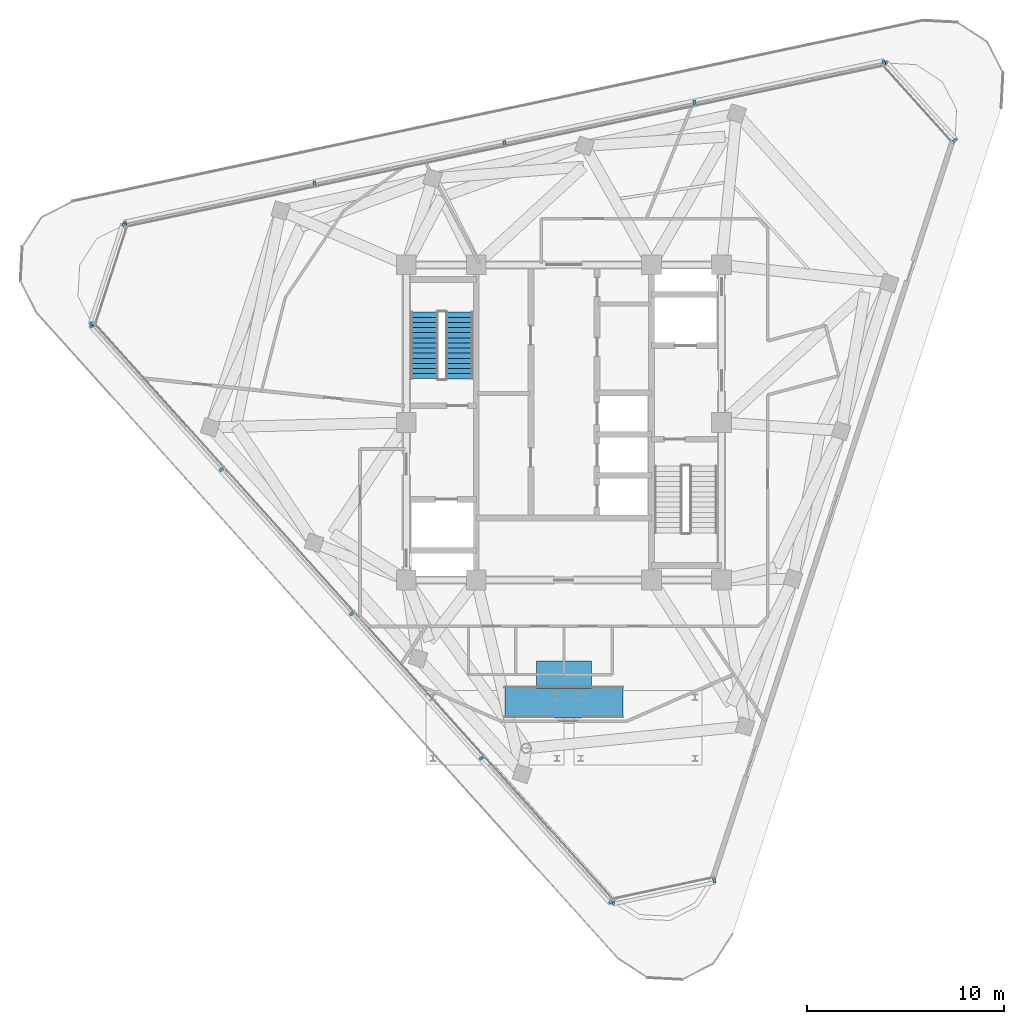
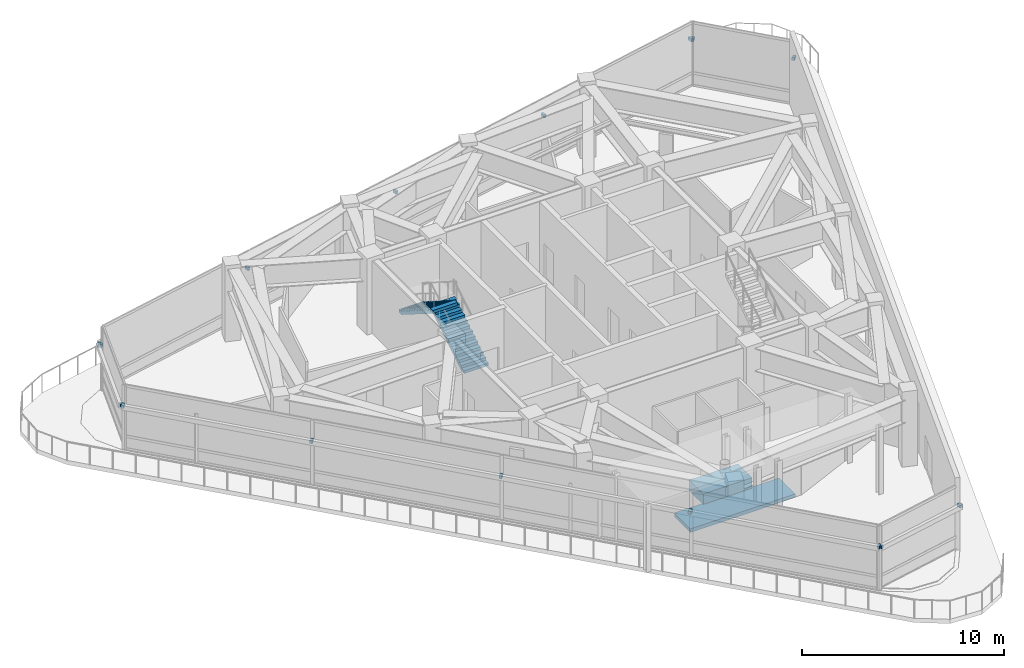
# One storey, part 11 of 15: 17 discrete accessories, 2 stair flights, 1 ramp flight, 2 elements without a shape of their own.
"""IFC4 building model written with IfcOpenShell, lengths in metres."""

from ifc_helpers import new_model, si_unit, direction, frame, origin, origin_2d, place, context, subcontext, project, spatial, polyline, rectangle, outline, extrude, material, type_object, element, aggregate, save


model = new_model("IFC4")

# Units and contexts
model_context = context("Model", 3, precision=1e-05, world=origin(), true_north=direction((0.0, 1.0)))
body_context = subcontext(model_context, "Body", "Model", "MODEL_VIEW")
ifc_project = project(units=[si_unit("LENGTHUNIT", "METRE"), si_unit("AREAUNIT", "SQUARE_METRE"), si_unit("VOLUMEUNIT", "CUBIC_METRE"), si_unit("PLANEANGLEUNIT", "RADIAN"), si_unit("MASSUNIT", "GRAM", prefix="KILO")], contexts=[model_context])

# Site, building, storey
site_placement = place(None, origin())
site = spatial("IfcSite", under=ifc_project, at=site_placement, CompositionType="ELEMENT")
building_placement = place(site_placement, origin())
building = spatial("IfcBuilding", under=site, at=building_placement, Name="Terralouvre Media Tower", CompositionType="ELEMENT")
storey_placement = place(building_placement, frame((0.0, 0.0, 312.800048828125)))
storey = spatial("IfcBuildingStorey", under=building, at=storey_placement, Name="L81", CompositionType="ELEMENT", Elevation=312.800048828125)

# Stair, stair flights
ifc_material_1 = material(Name="Concrete C45/55", Category="concrete")
stair_type = type_object("IfcStairType", Name="Dogleg Stair Assembly ST-01", PredefinedType="HALF_TURN_STAIR", material=ifc_material_1)
stair_placement = place(storey_placement, origin())
stair = element("IfcStair", 1, at=stair_placement, inside=storey, type_object=stair_type, Name="L81 Core Pressurised Exit Stair ST-01", PredefinedType="HALF_TURN_STAIR")
ifc_material_2 = material(Name="Concrete C45/55", Category="concrete")
stair_flight_type = type_object("IfcStairFlightType", Name="Reinforced Concrete Stair Flight SF-RC1", PredefinedType="STRAIGHT", material=ifc_material_2)
stair_flight_1_placement = place(storey_placement, frame((-5.300048828125, 2.219970703125, 0.0), z_axis=(0.0, 0.0, 1.0), x_axis=(0.0, 1.0, 0.0)))
stair_flight_1 = element("IfcStairFlight", 2, at=stair_flight_1_placement, type_object=stair_flight_type, Name="ST-01 flight 1", NumberOfRisers=14, NumberOfTreads=13, PredefinedType="STRAIGHT", RiserHeight=0.164285714, TreadLength=0.26, context=body_context, shape_type="SweptSolid", body=[
    extrude(outline(polyline([(0.0, 0.0), (0.0, 0.164306640625), (0.260009765625, 0.164306640625), (0.260009765625, 0.32861328125), (0.52001953125, 0.32861328125), (0.52001953125, 0.492919921875), (0.780029296875, 0.492919921875), (0.780029296875, 0.6572265625), (1.0400390625, 0.6572265625), (1.0400390625, 0.821533203125), (1.300048828125, 0.821533203125), (1.300048828125, 0.985595703125), (1.56005859375, 0.985595703125), (1.56005859375, 1.14990234375), (1.820068359375, 1.14990234375), (1.820068359375, 1.314208984375), (2.080078125, 1.314208984375), (2.080078125, 1.478515625), (2.340087890625, 1.478515625), (2.340087890625, 1.642822265625), (2.60009765625, 1.642822265625), (2.60009765625, 1.80712890625), (2.860107421875, 1.80712890625), (2.860107421875, 1.971435546875), (3.1201171875, 1.971435546875), (3.1201171875, 2.1357421875), (3.3798828125, 2.1357421875), (3.3798828125, 2.300048828125), (3.3798828125, 1.95849609375), (0.280517578125, 0.0), (0.0, 0.0)])), frame((0.0, 0.699951171875, 0.0), z_axis=(0.0, -1.0, 0.0), x_axis=(1.0, 0.0, 0.0)), (0.0, 0.0, 1.0), 1.39990234375),
])
stair_flight_2_placement = place(storey_placement, frame((-7.080078125, 5.60009765625, 2.300048828125), z_axis=(0.0, 0.0, 1.0), x_axis=(0.0, -1.0, 0.0)))
stair_flight_2 = element("IfcStairFlight", 3, at=stair_flight_2_placement, type_object=stair_flight_type, Name="ST-01 flight 2", NumberOfRisers=14, NumberOfTreads=13, PredefinedType="STRAIGHT", RiserHeight=0.164285714, TreadLength=0.26, context=body_context, shape_type="SweptSolid", body=[
    extrude(outline(polyline([(0.0, 0.0), (0.0, 0.164306640625), (0.260009765625, 0.164306640625), (0.260009765625, 0.32861328125), (0.52001953125, 0.32861328125), (0.52001953125, 0.492919921875), (0.780029296875, 0.492919921875), (0.780029296875, 0.6572265625), (1.0400390625, 0.6572265625), (1.0400390625, 0.821533203125), (1.300048828125, 0.821533203125), (1.300048828125, 0.985595703125), (1.56005859375, 0.985595703125), (1.56005859375, 1.14990234375), (1.820068359375, 1.14990234375), (1.820068359375, 1.314208984375), (2.080078125, 1.314208984375), (2.080078125, 1.478515625), (2.340087890625, 1.478515625), (2.340087890625, 1.642822265625), (2.60009765625, 1.642822265625), (2.60009765625, 1.80712890625), (2.860107421875, 1.80712890625), (2.860107421875, 1.971435546875), (3.1201171875, 1.971435546875), (3.1201171875, 2.1357421875), (3.3798828125, 2.1357421875), (3.3798828125, 2.300048828125), (3.3798828125, 1.95849609375), (0.280517578125, 0.0), (0.0, 0.0)])), frame((0.0, 0.699951171875, 0.0), z_axis=(0.0, -1.0, 0.0), x_axis=(1.0, 0.0, 0.0)), (0.0, 0.0, 1.0), 1.39990234375),
])
aggregate(stair, [stair_flight_1, stair_flight_2])

# Ramp, ramp flight
ifc_material_3 = material(Name="Concrete C40/50", Category="concrete")
ramp_type = type_object("IfcRampType", Name="Accessible Pedestrian Ramp AR-01", PredefinedType="STRAIGHT_RUN_RAMP", material=ifc_material_3)
ramp_placement = place(storey_placement, origin())
ramp = element("IfcRamp", 4, at=ramp_placement, inside=storey, type_object=ramp_type, material=ifc_material_3, Name="L81 Conservatory Terrace Accessible Ramp", PredefinedType="STRAIGHT_RUN_RAMP")
ifc_material_4 = material(Name="Concrete C40/50", Category="concrete")
ramp_flight_type = type_object("IfcRampFlightType", Name="Accessible Pedestrian Ramp Flight ARF-01", PredefinedType="STRAIGHT", material=ifc_material_4)
ramp_flight_placement = place(storey_placement, frame((-3.0, -14.199951171875, 0.0), z_axis=(0.0, 0.0, 1.0), x_axis=(1.0, 0.0, 0.0)))
ramp_flight = element("IfcRampFlight", 5, at=ramp_flight_placement, type_object=ramp_flight_type, material=ifc_material_4, Name="L81 Conservatory Terrace Accessible Ramp Flight", PredefinedType="STRAIGHT", context=body_context, shape_type="SweptSolid", body=[
    extrude(outline(polyline([(0.0, 0.0), (6.0, 0.02001953125), (6.0, -0.199951171875), (0.0, -0.219970703125), (0.0, 0.0)])), frame((0.0, 0.800048828125, 0.0), z_axis=(0.0, -1.0, 0.0), x_axis=(1.0, 0.0, 0.0)), (0.0, 0.0, 1.0), 1.60009765625),
])
aggregate(ramp, [ramp_flight])

# Discrete accessories
ifc_material_5 = material(Name="Anodised extruded aluminium 6063-T6", Category="aluminium")
discrete_accessory_type_1 = type_object("IfcDiscreteAccessoryType", Name="Mullion Stand-Off Baguette Fixing Bracket BK-01", PredefinedType="BRACKET", material=ifc_material_5)
for number, where, z_axis, x_axis, name in (
    (6, (16.236572265625, 18.280517578125, 2.61962890625), (0.0, 0.0, 1.0), (-0.978147595164, -0.207911717023, 0.0), "CW-L81-F1 Baguette Outrigger Bracket 1.01"),
    (7, (6.628662109375, 16.23828125, 2.61962890625), (0.0, 0.0, 1.0), (-0.978147595164, -0.207911717023, 0.0), "CW-L81-F1 Baguette Outrigger Bracket 1.02"),
    (8, (-3.015869140625, 14.1884765625, 2.61962890625), (0.0, 0.0, 1.0), (-0.978147595164, -0.207911717023, 0.0), "CW-L81-F1 Baguette Outrigger Bracket 1.03"),
    (9, (-12.660400390625, 12.138427734375, 2.61962890625), (0.0, 0.0, 1.0), (-0.978147595164, -0.207911717023, 0.0), "CW-L81-F1 Baguette Outrigger Bracket 1.04"),
    (10, (-22.268310546875, 10.09619140625, 2.61962890625), (0.0, 0.0, 1.0), (-0.978147595164, -0.207911717023, 0.0), "CW-L81-F1 Baguette Outrigger Bracket 1.05"),
    (11, (-23.94970703125, 4.9208984375, 2.61962890625), (0.0, 0.0, 1.0), (0.669130754947, -0.743144691688, 0.0), "CW-L81-F2 Baguette Outrigger Bracket 1.01"),
    (12, (-17.377197265625, -2.378662109375, 2.61962890625), (0.0, 0.0, 1.0), (0.669130754947, -0.743144691688, 0.0), "CW-L81-F2 Baguette Outrigger Bracket 1.02"),
    (13, (-10.779541015625, -9.7060546875, 2.61962890625), (0.0, 0.0, 1.0), (0.669130754947, -0.743144691688, 0.0), "CW-L81-F2 Baguette Outrigger Bracket 1.03"),
    (14, (-4.181884765625, -17.033447265625, 2.61962890625), (0.0, 0.0, 1.0), (0.669130754947, -0.743144691688, 0.0), "CW-L81-F2 Baguette Outrigger Bracket 1.04"),
    (15, (2.390625, -24.3330078125, 2.61962890625), (0.0, 0.0, 1.0), (0.669130754947, -0.743144691688, 0.0), "CW-L81-F2 Baguette Outrigger Bracket 1.05"),
    (16, (2.486328125, -24.345703125, 2.61962890625), (0.0, 0.0, 1.0), (0.978147596797, 0.207911709341, 0.0), "CW-L81-C0 Baguette Outrigger Bracket 1.01"),
    (17, (7.631103515625, -23.252197265625, 2.61962890625), (0.0, 0.0, 1.0), (0.978147596797, 0.207911709341, 0.0), "CW-L81-C0 Baguette Outrigger Bracket 1.02"),
    (18, (19.841064453125, 14.326171875, 2.61962890625), (0.0, 0.0, 1.0), (-0.669131039347, 0.743144435613, 0.0), "CW-L81-C1 Baguette Outrigger Bracket 1.01"),
    (19, (16.321533203125, 18.23486328125, 2.61962890625), (0.0, 0.0, 1.0), (-0.669131039347, 0.743144435613, 0.0), "CW-L81-C1 Baguette Outrigger Bracket 1.02"),
    (20, (-22.3271484375, 10.019775390625, 2.61962890625), (0.0, 0.0, 1.0), (-0.309017703105, -0.951056286014, 0.0), "CW-L81-C2 Baguette Outrigger Bracket 1.01"),
    (21, (-23.95263671875, 5.017578125, 2.61962890625), (0.0, 0.0, 1.0), (-0.309017703105, -0.951056286014, 0.0), "CW-L81-C2 Baguette Outrigger Bracket 1.02"),
):
    element("IfcDiscreteAccessory", number, at=place(storey_placement, frame(where, z_axis=z_axis, x_axis=x_axis)), inside=storey, type_object=discrete_accessory_type_1, Name=name, PredefinedType="BRACKET", context=body_context, shape_type="SweptSolid", body=[
        extrude(rectangle(XDim=0.139892578125, YDim=0.239990234375, at=origin_2d()), origin(), (0.0, 0.0, 1.0), 0.179931640625),
    ])
ifc_material_6 = material(Name="Kiln-fired architectural terracotta rainscreen cladding", Category="masonry")
discrete_accessory_type_2 = type_object("IfcDiscreteAccessoryType", Name="Planted Tropical Garden Bed Planter PLT-01", PredefinedType="USERDEFINED", material=ifc_material_6)
discrete_accessory_placement = place(storey_placement, frame((0.0, -12.800048828125, -0.0048828125), z_axis=(0.0, 0.0, 1.0), x_axis=(1.0, 0.0, 0.0)))
element("IfcDiscreteAccessory", 22, at=discrete_accessory_placement, inside=storey, type_object=discrete_accessory_type_2, Name="L81 Planted Garden Bed Planter 05", ObjectType="PLANTER", PredefinedType="USERDEFINED", context=body_context, shape_type="SweptSolid", body=[
    extrude(rectangle(XDim=2.800048828125, YDim=1.39990234375, at=origin_2d()), origin(), (0.0, 0.0, 1.0), 0.64990234375),
])

save(model, "model.ifc")
